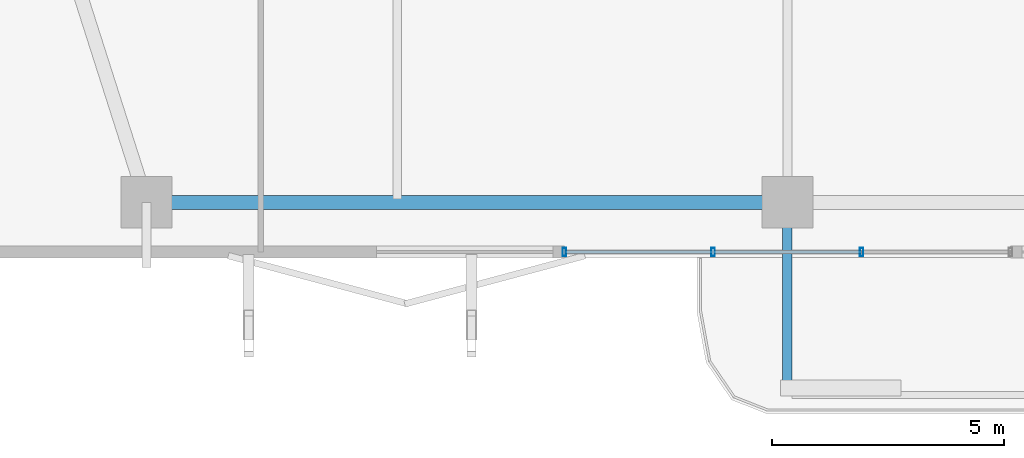
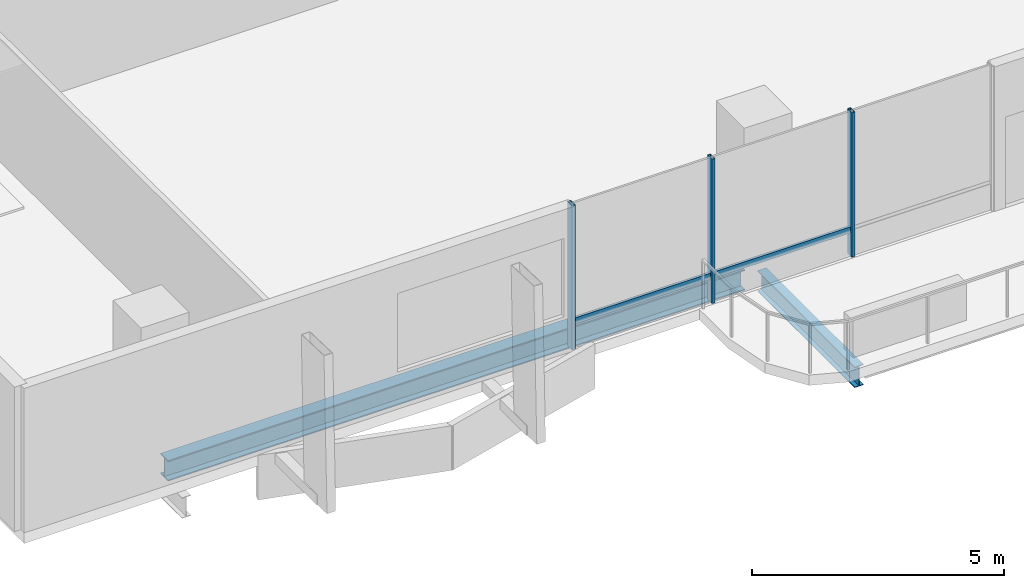
# One storey, part 2 of 24: 5 members, 2 beams, 1 element without a shape of its own.
"""IFC4 building model written with IfcOpenShell, lengths in metres."""

from ifc_helpers import new_model, si_unit, direction, frame, origin, origin_2d, place, context, subcontext, project, spatial, hollow_rectangle, i_section, extrude, material, layer, layer_set, material_profile, profile_set, type_object, element, aggregate, save


model = new_model("IFC4")

# Units and contexts
model_context = context("Model", 3, precision=1e-05, world=origin(), true_north=direction((0.0, 1.0)))
body_context = subcontext(model_context, "Body", "Model", "MODEL_VIEW")
ifc_project = project(units=[si_unit("LENGTHUNIT", "METRE"), si_unit("AREAUNIT", "SQUARE_METRE"), si_unit("VOLUMEUNIT", "CUBIC_METRE"), si_unit("PLANEANGLEUNIT", "RADIAN"), si_unit("MASSUNIT", "GRAM", prefix="KILO")], contexts=[model_context])

# Site, building, storey
site_placement = place(None, origin())
site = spatial("IfcSite", under=ifc_project, at=site_placement, CompositionType="ELEMENT")
building_placement = place(site_placement, origin())
building = spatial("IfcBuilding", under=site, at=building_placement, Name="Belovzor Exchange Tower", CompositionType="ELEMENT")
storey_placement = place(building_placement, frame((0.0, 0.0, 145.800048828125)))
storey = spatial("IfcBuildingStorey", under=building, at=storey_placement, Name="L35", CompositionType="ELEMENT", Elevation=145.800048828125)

# Beam
ifc_material_1 = material(Name="Steel S355", Category="steel")
ifc_material_profile_1 = material_profile(ifc_material_1, i_section(OverallWidth=0.199951171875, OverallDepth=0.5, WebThickness=0.01025390625, FlangeThickness=0.01611328125, at=origin_2d()))
ifc_profile_set_1 = profile_set([ifc_material_profile_1], Name="Steel S355")
beam_type_1 = type_object("IfcBeamType", Name="Planted Balcony Cantilever Beam IPE 500", PredefinedType="BEAM", material=ifc_profile_set_1)
beam_1_placement = place(storey_placement, frame((28.800048828125, 5.39697265625, -0.505126953125), z_axis=(0.0, -1.0, 0.0), x_axis=(1.0, 0.0, 0.0)))
element("IfcBeam", 1, at=beam_1_placement, inside=storey, type_object=beam_type_1, Name="BC-500 Planted Balcony Cantilever Beam IPE 500", PredefinedType="BEAM", context=body_context, shape_type="SweptSolid", body=[
    extrude(i_section(OverallWidth=0.199951171875, OverallDepth=0.5, WebThickness=0.01025390625, FlangeThickness=0.01611328125, at=origin_2d()), origin(), (0.0, 0.0, 1.0), 3.849853515625),
])

# Curtain wall, members
ifc_material_2 = material(Name="Anodised Aluminium Framing", Category="aluminium")
ifc_layer = layer(ifc_material_2, 0.179931640625)
ifc_layer_set = layer_set([ifc_layer], Name="Anodised Aluminium Framing")
curtain_wall_type = type_object("IfcCurtainWallType", Name="Recessed Loggia Low-Iron Triple-Glazed Curtain Wall", PredefinedType="NOTDEFINED", material=ifc_layer_set)
curtain_wall_placement = place(storey_placement, origin())
curtain_wall = element("IfcCurtainWall", 2, at=curtain_wall_placement, inside=storey, type_object=curtain_wall_type, Name="CW3 Recessed Loggia Low-Iron Triple-Glazed Curtain Wall L35", PredefinedType="NOTDEFINED")
ifc_material_3 = material(Name="Steel S355", Category="steel")
ifc_material_profile_2 = material_profile(ifc_material_3, hollow_rectangle(XDim=0.074951171875, YDim=0.179931640625, WallThickness=0.0048828125, at=origin_2d()))
ifc_profile_set_2 = profile_set([ifc_material_profile_2], Name="Steel S355")
member_type_1 = type_object("IfcMemberType", Name="Thermally Broken Curtain Wall Mullion 180x75", PredefinedType="MULLION", material=ifc_profile_set_2)
member_1_placement = place(storey_placement, frame((30.39990234375, 4.6298828125, 0.0), z_axis=(0.0, 0.0, 1.0), x_axis=(-1.0, 0.0, 0.0)))
member_1 = element("IfcMember", 3, at=member_1_placement, type_object=member_type_1, Name="CW-M180 Curtain Wall Mullion 2", PredefinedType="MULLION", context=body_context, shape_type="SweptSolid", body=[
    extrude(hollow_rectangle(XDim=0.074951171875, YDim=0.179931640625, WallThickness=0.0048828125, at=origin_2d()), origin(), (0.0, 0.0, 1.0), 3.494873046875),
])
member_2_placement = place(storey_placement, frame((27.199951171875, 4.6298828125, 0.0), z_axis=(0.0, 0.0, 1.0), x_axis=(-1.0, 0.0, 0.0)))
member_2 = element("IfcMember", 4, at=member_2_placement, type_object=member_type_1, Name="CW-M180 Curtain Wall Mullion 3", PredefinedType="MULLION", context=body_context, shape_type="SweptSolid", body=[
    extrude(hollow_rectangle(XDim=0.074951171875, YDim=0.179931640625, WallThickness=0.0048828125, at=origin_2d()), origin(), (0.0, 0.0, 1.0), 3.494873046875),
])
member_3_placement = place(storey_placement, frame((24.0, 4.6298828125, 0.0), z_axis=(0.0, 0.0, 1.0), x_axis=(-1.0, 0.0, 0.0)))
member_3 = element("IfcMember", 5, at=member_3_placement, type_object=member_type_1, Name="CW-M180 Curtain Wall Mullion 4", PredefinedType="MULLION", context=body_context, shape_type="SweptSolid", body=[
    extrude(hollow_rectangle(XDim=0.074951171875, YDim=0.179931640625, WallThickness=0.0048828125, at=origin_2d()), origin(), (0.0, 0.0, 1.0), 3.494873046875),
])
ifc_material_4 = material(Name="Steel S355", Category="steel")
ifc_material_profile_3 = material_profile(ifc_material_4, hollow_rectangle(XDim=0.06005859375, YDim=0.14990234375, WallThickness=0.00390625, at=origin_2d()))
ifc_profile_set_3 = profile_set([ifc_material_profile_3], Name="Steel S355")
member_type_2 = type_object("IfcMemberType", Name="Thermally Broken Curtain Wall Transom 150x60", PredefinedType="USERDEFINED", material=ifc_profile_set_3)
member_4_placement = place(storey_placement, frame((30.39208984375, 4.6298828125, 0.62890625), z_axis=(-1.0, 0.0, 0.0), x_axis=(0.0, -1.0, 0.0)))
member_4 = element("IfcMember", 6, at=member_4_placement, type_object=member_type_2, Name="CW-T150 Curtain Wall Transom 2", ObjectType="TRANSOM", PredefinedType="USERDEFINED", context=body_context, shape_type="SweptSolid", body=[
    extrude(hollow_rectangle(XDim=0.06005859375, YDim=0.14990234375, WallThickness=0.00390625, at=origin_2d()), origin(), (0.0, 0.0, 1.0), 3.18408203125),
])
member_5_placement = place(storey_placement, frame((27.19189453125, 4.6298828125, 0.62890625), z_axis=(-1.0, 0.0, 0.0), x_axis=(0.0, -1.0, 0.0)))
member_5 = element("IfcMember", 7, at=member_5_placement, type_object=member_type_2, Name="CW-T150 Curtain Wall Transom 3", ObjectType="TRANSOM", PredefinedType="USERDEFINED", context=body_context, shape_type="SweptSolid", body=[
    extrude(hollow_rectangle(XDim=0.06005859375, YDim=0.14990234375, WallThickness=0.00390625, at=origin_2d()), origin(), (0.0, 0.0, 1.0), 3.183837890625),
])
aggregate(curtain_wall, [member_1, member_2, member_3, member_4, member_5])

# Beam
ifc_material_5 = material(Name="Steel S355", Category="steel")
ifc_material_profile_4 = material_profile(ifc_material_5, i_section(OverallWidth=0.300048828125, OverallDepth=0.5, WebThickness=0.014404296875, FlangeThickness=0.028076171875, at=origin_2d()))
ifc_profile_set_4 = profile_set([ifc_material_profile_4], Name="Steel S355")
beam_type_2 = type_object("IfcBeamType", Name="Zone 3 Waist Primary Girder HEB 500", PredefinedType="BEAM", material=ifc_profile_set_4)
beam_2_placement = place(storey_placement, frame((15.302978515625, 5.699951171875, -0.505126953125), z_axis=(1.0, 0.0, 0.0), x_axis=(0.0, 1.0, 0.0)))
element("IfcBeam", 8, at=beam_2_placement, inside=storey, type_object=beam_type_2, Name="FG-Z3 Zone 3 Waist Primary Girder HEB 500", PredefinedType="BEAM", context=body_context, shape_type="SweptSolid", body=[
    extrude(i_section(OverallWidth=0.300048828125, OverallDepth=0.5, WebThickness=0.014404296875, FlangeThickness=0.028076171875, at=origin_2d()), origin(), (0.0, 0.0, 1.0), 13.195068359375),
])

save(model, "model.ifc")
